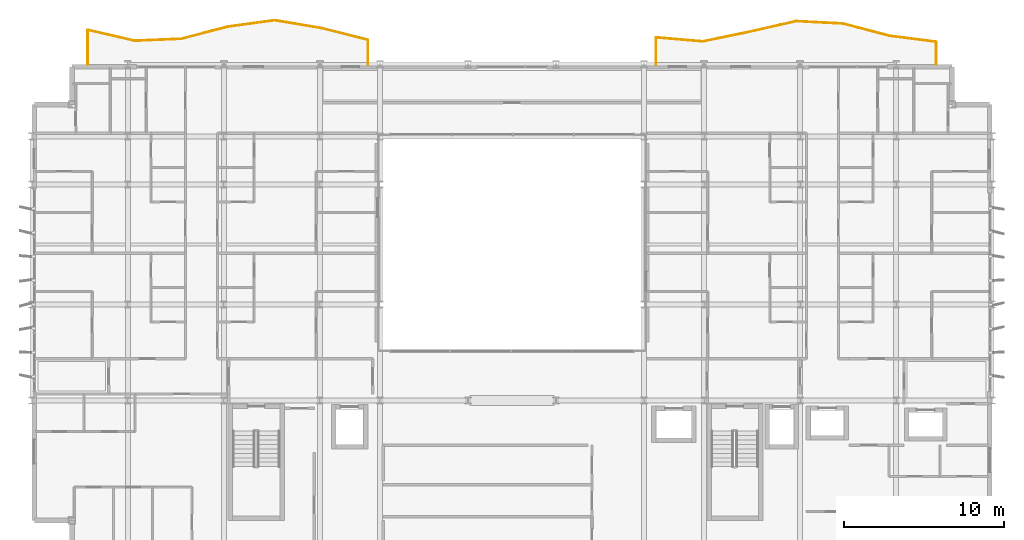
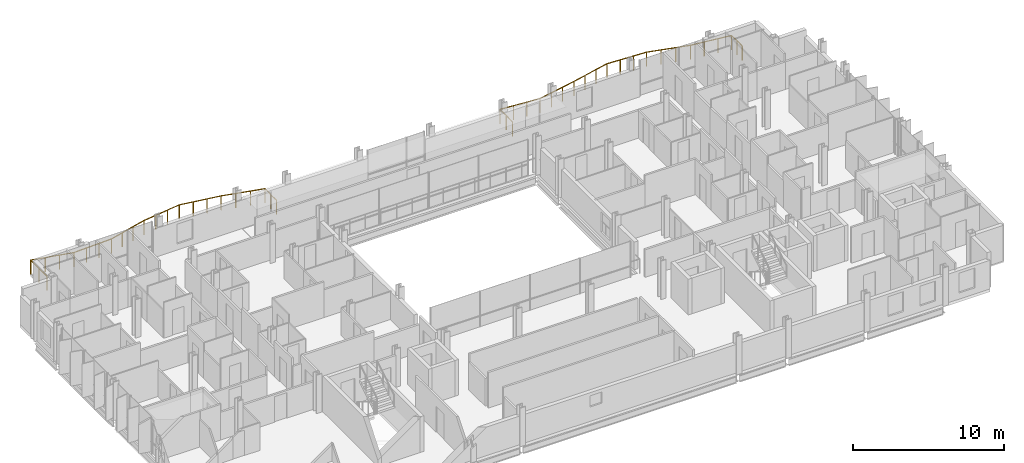
# One storey, part 39 of 39: 2 railings.
"""IFC4 building model written with IfcOpenShell, lengths in metres."""

from ifc_helpers import new_model, si_unit, direction, frame, origin, origin_2d, place, context, subcontext, project, spatial, circle, extrude, material, type_object, element, save


model = new_model("IFC4")

# Units and contexts
model_context = context("Model", 3, precision=1e-05, world=origin(), true_north=direction((0.0, 1.0)))
body_context = subcontext(model_context, "Body", "Model", "MODEL_VIEW")
ifc_project = project(units=[si_unit("LENGTHUNIT", "METRE"), si_unit("AREAUNIT", "SQUARE_METRE"), si_unit("VOLUMEUNIT", "CUBIC_METRE"), si_unit("PLANEANGLEUNIT", "RADIAN"), si_unit("MASSUNIT", "GRAM", prefix="KILO")], contexts=[model_context])

# Site, building, storey
site_placement = place(None, origin())
site = spatial("IfcSite", under=ifc_project, at=site_placement, CompositionType="ELEMENT")
building_placement = place(site_placement, origin())
building = spatial("IfcBuilding", under=site, at=building_placement, Name="Brevholm Reach", CompositionType="ELEMENT")
storey_placement = place(building_placement, frame((0.0, 0.0, 83.800048828125)))
storey = spatial("IfcBuildingStorey", under=building, at=storey_placement, Name="L24", CompositionType="ELEMENT", Elevation=83.800048828125)

# Railings
ifc_material = material(Name="Brushed Stainless Steel EN 1.4401 and Laminated Glass", Category="steel")
railing_type = type_object("IfcRailingType", Name="RAL-BALC-1150", PredefinedType="BALUSTRADE", material=ifc_material)
railing_1_placement = place(storey_placement, frame((56.5, 31.0, 0.0)))
element("IfcRailing", 1, at=railing_1_placement, inside=storey, type_object=railing_type, Name="L24 Guard Balustrade RAL-L24-BAL-NE", PredefinedType="BALUSTRADE", context=body_context, shape_type="SweptSolid", body=[
    extrude(circle(Radius=0.02392578125, at=origin_2d()), frame((0.0, 0.0, 1.1259765625), z_axis=(0.0, 1.0, 0.0), x_axis=(-1.0, 0.0, 0.0)), (0.0, 0.0, 1.0), 1.40380859375),
    extrude(circle(Radius=0.02392578125, at=origin_2d()), frame((0.0, 1.40380859375, 1.1259765625), z_axis=(-0.991825721968, 0.127599910828, 0.0), x_axis=(-0.127599910828, -0.991825721968, 0.0)), (0.0, 0.0, 1.0), 2.940673828125),
    extrude(circle(Radius=0.02392578125, at=origin_2d()), frame((-2.916748046875, 1.779052734375, 1.1259765625), z_axis=(-0.967287116441, 0.253684123205, 0.0), x_axis=(-0.253684123205, -0.967287116441, 0.0)), (0.0, 0.0, 1.0), 3.01513671875),
    extrude(circle(Radius=0.02392578125, at=origin_2d()), frame((-5.833251953125, 2.5439453125, 1.1259765625), z_axis=(-0.998720239463, 0.050575520622, 0.0), x_axis=(-0.050575520622, -0.998720239463, 0.0)), (0.0, 0.0, 1.0), 2.92041015625),
    extrude(circle(Radius=0.02392578125, at=origin_2d()), frame((-8.75, 2.691650390625, 1.1259765625), z_axis=(-0.975066268344, -0.221913884961, 0.0), x_axis=(0.221913884961, -0.975066268344, 0.0)), (0.0, 0.0, 1.0), 2.991455078125),
    extrude(circle(Radius=0.02392578125, at=origin_2d()), frame((-11.666748046875, 2.02783203125, 1.1259765625), z_axis=(-0.979367411888, -0.202087784221, 0.0), x_axis=(0.202087784221, -0.979367411888, 0.0)), (0.0, 0.0, 1.0), 2.97802734375),
    extrude(circle(Radius=0.02392578125, at=origin_2d()), frame((-14.583251953125, 1.426025390625, 1.1259765625), z_axis=(-0.996282713287, 0.086143805376, 0.0), x_axis=(-0.086143805376, -0.996282713287, 0.0)), (0.0, 0.0, 1.0), 2.927734375),
    extrude(circle(Radius=0.02392578125, at=origin_2d()), frame((-17.5, 1.67822265625, 1.1259765625), z_axis=(0.0, -1.0, 0.0), x_axis=(1.0, 0.0, 0.0)), (0.0, 0.0, 1.0), 1.67822265625),
    extrude(circle(Radius=0.02099609375, at=origin_2d()), origin(), (0.0, 0.0, 1.0), 1.101806640625),
    extrude(circle(Radius=0.02099609375, at=origin_2d()), frame((0.0, 0.701904296875, 0.0)), (0.0, 0.0, 1.0), 1.101806640625),
    extrude(circle(Radius=0.02099609375, at=origin_2d()), frame((0.0, 1.40380859375, 0.0)), (0.0, 0.0, 1.0), 1.101806640625),
    extrude(circle(Radius=0.02099609375, at=origin_2d()), frame((-0.97216796875, 1.52880859375, 0.0)), (0.0, 0.0, 1.0), 1.101806640625),
    extrude(circle(Radius=0.02099609375, at=origin_2d()), frame((-1.944580078125, 1.654052734375, 0.0)), (0.0, 0.0, 1.0), 1.101806640625),
    extrude(circle(Radius=0.02099609375, at=origin_2d()), frame((-2.916748046875, 1.779052734375, 0.0)), (0.0, 0.0, 1.0), 1.101806640625),
    extrude(circle(Radius=0.02099609375, at=origin_2d()), frame((-3.888916015625, 2.033935546875, 0.0)), (0.0, 0.0, 1.0), 1.101806640625),
    extrude(circle(Radius=0.02099609375, at=origin_2d()), frame((-4.861083984375, 2.2890625, 0.0)), (0.0, 0.0, 1.0), 1.101806640625),
    extrude(circle(Radius=0.02099609375, at=origin_2d()), frame((-5.833251953125, 2.5439453125, 0.0)), (0.0, 0.0, 1.0), 1.101806640625),
    extrude(circle(Radius=0.02099609375, at=origin_2d()), frame((-6.805419921875, 2.59326171875, 0.0)), (0.0, 0.0, 1.0), 1.101806640625),
    extrude(circle(Radius=0.02099609375, at=origin_2d()), frame((-7.77783203125, 2.642333984375, 0.0)), (0.0, 0.0, 1.0), 1.101806640625),
    extrude(circle(Radius=0.02099609375, at=origin_2d()), frame((-8.75, 2.691650390625, 0.0)), (0.0, 0.0, 1.0), 1.101806640625),
    extrude(circle(Radius=0.02099609375, at=origin_2d()), frame((-9.72216796875, 2.470458984375, 0.0)), (0.0, 0.0, 1.0), 1.101806640625),
    extrude(circle(Radius=0.02099609375, at=origin_2d()), frame((-10.694580078125, 2.2490234375, 0.0)), (0.0, 0.0, 1.0), 1.101806640625),
    extrude(circle(Radius=0.02099609375, at=origin_2d()), frame((-11.666748046875, 2.02783203125, 0.0)), (0.0, 0.0, 1.0), 1.101806640625),
    extrude(circle(Radius=0.02099609375, at=origin_2d()), frame((-12.638916015625, 1.8271484375, 0.0)), (0.0, 0.0, 1.0), 1.101806640625),
    extrude(circle(Radius=0.02099609375, at=origin_2d()), frame((-13.611083984375, 1.626708984375, 0.0)), (0.0, 0.0, 1.0), 1.101806640625),
    extrude(circle(Radius=0.02099609375, at=origin_2d()), frame((-14.583251953125, 1.426025390625, 0.0)), (0.0, 0.0, 1.0), 1.101806640625),
    extrude(circle(Radius=0.02099609375, at=origin_2d()), frame((-15.555419921875, 1.510009765625, 0.0)), (0.0, 0.0, 1.0), 1.101806640625),
    extrude(circle(Radius=0.02099609375, at=origin_2d()), frame((-16.52783203125, 1.59423828125, 0.0)), (0.0, 0.0, 1.0), 1.101806640625),
    extrude(circle(Radius=0.02099609375, at=origin_2d()), frame((-17.5, 1.67822265625, 0.0)), (0.0, 0.0, 1.0), 1.101806640625),
    extrude(circle(Radius=0.02099609375, at=origin_2d()), frame((-17.5, 0.839111328125, 0.0)), (0.0, 0.0, 1.0), 1.101806640625),
    extrude(circle(Radius=0.02099609375, at=origin_2d()), frame((-17.5, 0.0, 0.0)), (0.0, 0.0, 1.0), 1.101806640625),
])
railing_2_placement = place(storey_placement, frame((21.0, 31.0, 0.0)))
element("IfcRailing", 2, at=railing_2_placement, inside=storey, type_object=railing_type, Name="L24 Guard Balustrade RAL-L24-BAL-NW", PredefinedType="BALUSTRADE", context=body_context, shape_type="SweptSolid", body=[
    extrude(circle(Radius=0.02392578125, at=origin_2d()), frame((0.0, 0.0, 1.1259765625), z_axis=(0.0, 1.0, 0.0), x_axis=(-1.0, 0.0, 0.0)), (0.0, 0.0, 1.0), 1.52880859375),
    extrude(circle(Radius=0.02392578125, at=origin_2d()), frame((0.0, 1.52880859375, 1.1259765625), z_axis=(-0.969908046993, 0.243471518618, 0.0), x_axis=(-0.243471518618, -0.969908046993, 0.0)), (0.0, 0.0, 1.0), 3.00732421875),
    extrude(circle(Radius=0.02392578125, at=origin_2d()), frame((-2.916748046875, 2.260986328125, 1.1259765625), z_axis=(-0.986326897089, 0.164800643445, 0.0), x_axis=(-0.164800643445, -0.986326897089, 0.0)), (0.0, 0.0, 1.0), 2.95703125),
    extrude(circle(Radius=0.02392578125, at=origin_2d()), frame((-5.833251953125, 2.748291015625, 1.1259765625), z_axis=(-0.990787222307, -0.135427767141, 0.0), x_axis=(0.135427767141, -0.990787222307, 0.0)), (0.0, 0.0, 1.0), 2.94384765625),
    extrude(circle(Radius=0.02392578125, at=origin_2d()), frame((-8.75, 2.349609375, 1.1259765625), z_axis=(-0.967668860758, -0.252224058961, 0.0), x_axis=(0.252224058961, -0.967668860758, 0.0)), (0.0, 0.0, 1.0), 3.01416015625),
    extrude(circle(Radius=0.02392578125, at=origin_2d()), frame((-11.666748046875, 1.58935546875, 1.1259765625), z_axis=(-0.999139150441, -0.041484431493, 0.0), x_axis=(0.041484431493, -0.999139150441, 0.0)), (0.0, 0.0, 1.0), 2.9189453125),
    extrude(circle(Radius=0.02392578125, at=origin_2d()), frame((-14.583251953125, 1.46826171875, 1.1259765625), z_axis=(-0.974086615793, 0.226175296912, 0.0), x_axis=(-0.226175296912, -0.974086615793, 0.0)), (0.0, 0.0, 1.0), 2.994384765625),
    extrude(circle(Radius=0.02392578125, at=origin_2d()), frame((-17.5, 2.1455078125, 1.1259765625), z_axis=(0.0, -1.0, 0.0), x_axis=(1.0, 0.0, 0.0)), (0.0, 0.0, 1.0), 2.1455078125),
    extrude(circle(Radius=0.02099609375, at=origin_2d()), origin(), (0.0, 0.0, 1.0), 1.101806640625),
    extrude(circle(Radius=0.02099609375, at=origin_2d()), frame((0.0, 0.764404296875, 0.0)), (0.0, 0.0, 1.0), 1.101806640625),
    extrude(circle(Radius=0.02099609375, at=origin_2d()), frame((0.0, 1.52880859375, 0.0)), (0.0, 0.0, 1.0), 1.101806640625),
    extrude(circle(Radius=0.02099609375, at=origin_2d()), frame((-0.97216796875, 1.77294921875, 0.0)), (0.0, 0.0, 1.0), 1.101806640625),
    extrude(circle(Radius=0.02099609375, at=origin_2d()), frame((-1.944580078125, 2.016845703125, 0.0)), (0.0, 0.0, 1.0), 1.101806640625),
    extrude(circle(Radius=0.02099609375, at=origin_2d()), frame((-2.916748046875, 2.260986328125, 0.0)), (0.0, 0.0, 1.0), 1.101806640625),
    extrude(circle(Radius=0.02099609375, at=origin_2d()), frame((-3.888916015625, 2.42333984375, 0.0)), (0.0, 0.0, 1.0), 1.101806640625),
    extrude(circle(Radius=0.02099609375, at=origin_2d()), frame((-4.861083984375, 2.5859375, 0.0)), (0.0, 0.0, 1.0), 1.101806640625),
    extrude(circle(Radius=0.02099609375, at=origin_2d()), frame((-5.833251953125, 2.748291015625, 0.0)), (0.0, 0.0, 1.0), 1.101806640625),
    extrude(circle(Radius=0.02099609375, at=origin_2d()), frame((-6.805419921875, 2.615478515625, 0.0)), (0.0, 0.0, 1.0), 1.101806640625),
    extrude(circle(Radius=0.02099609375, at=origin_2d()), frame((-7.77783203125, 2.482421875, 0.0)), (0.0, 0.0, 1.0), 1.101806640625),
    extrude(circle(Radius=0.02099609375, at=origin_2d()), frame((-8.75, 2.349609375, 0.0)), (0.0, 0.0, 1.0), 1.101806640625),
    extrude(circle(Radius=0.02099609375, at=origin_2d()), frame((-9.72216796875, 2.09619140625, 0.0)), (0.0, 0.0, 1.0), 1.101806640625),
    extrude(circle(Radius=0.02099609375, at=origin_2d()), frame((-10.694580078125, 1.8427734375, 0.0)), (0.0, 0.0, 1.0), 1.101806640625),
    extrude(circle(Radius=0.02099609375, at=origin_2d()), frame((-11.666748046875, 1.58935546875, 0.0)), (0.0, 0.0, 1.0), 1.101806640625),
    extrude(circle(Radius=0.02099609375, at=origin_2d()), frame((-12.638916015625, 1.549072265625, 0.0)), (0.0, 0.0, 1.0), 1.101806640625),
    extrude(circle(Radius=0.02099609375, at=origin_2d()), frame((-13.611083984375, 1.508544921875, 0.0)), (0.0, 0.0, 1.0), 1.101806640625),
    extrude(circle(Radius=0.02099609375, at=origin_2d()), frame((-14.583251953125, 1.46826171875, 0.0)), (0.0, 0.0, 1.0), 1.101806640625),
    extrude(circle(Radius=0.02099609375, at=origin_2d()), frame((-15.555419921875, 1.694091796875, 0.0)), (0.0, 0.0, 1.0), 1.101806640625),
    extrude(circle(Radius=0.02099609375, at=origin_2d()), frame((-16.52783203125, 1.919677734375, 0.0)), (0.0, 0.0, 1.0), 1.101806640625),
    extrude(circle(Radius=0.02099609375, at=origin_2d()), frame((-17.5, 2.1455078125, 0.0)), (0.0, 0.0, 1.0), 1.101806640625),
    extrude(circle(Radius=0.02099609375, at=origin_2d()), frame((-17.5, 1.07275390625, 0.0)), (0.0, 0.0, 1.0), 1.101806640625),
    extrude(circle(Radius=0.02099609375, at=origin_2d()), frame((-17.5, 0.0, 0.0)), (0.0, 0.0, 1.0), 1.101806640625),
])

save(model, "model.ifc")
